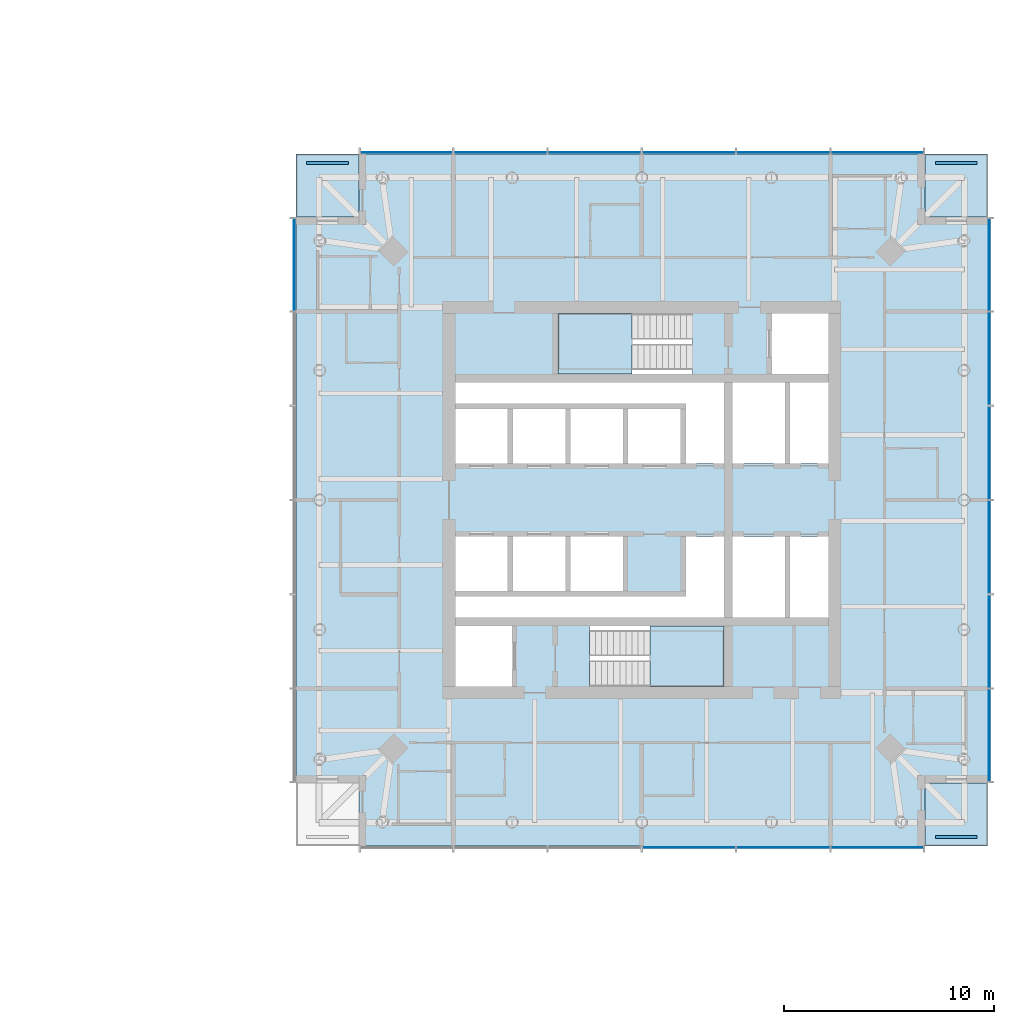
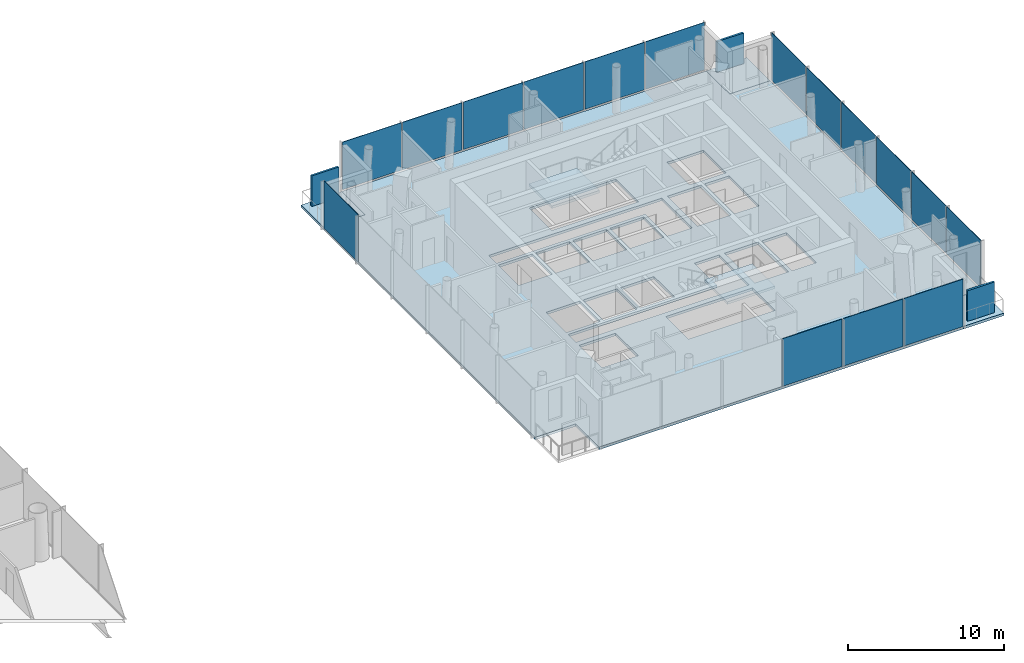
# One storey, part 7 of 18: 19 plates, 6 slabs, 6 elements without a shape of their own.
"""IFC4 building model written with IfcOpenShell, lengths in metres."""

from ifc_helpers import new_model, si_unit, direction, frame, origin, origin_2d, place, context, subcontext, project, spatial, polyline, rectangle, outline, extrude, material, layer, layer_set, type_object, element, aggregate, save


model = new_model("IFC4")

# Units and contexts
model_context = context("Model", 3, precision=1e-05, world=origin(), true_north=direction((0.0, 1.0)))
body_context = subcontext(model_context, "Body", "Model", "MODEL_VIEW")
ifc_project = project(units=[si_unit("LENGTHUNIT", "METRE"), si_unit("AREAUNIT", "SQUARE_METRE"), si_unit("VOLUMEUNIT", "CUBIC_METRE"), si_unit("PLANEANGLEUNIT", "RADIAN"), si_unit("MASSUNIT", "GRAM", prefix="KILO")], contexts=[model_context])

# Site, building, storey
site_placement = place(None, origin())
site = spatial("IfcSite", under=ifc_project, at=site_placement, CompositionType="ELEMENT")
building_placement = place(site_placement, origin())
building = spatial("IfcBuilding", under=site, at=building_placement, Name="Ostroluk Exchange", CompositionType="ELEMENT")
storey_placement = place(building_placement, frame((0.0, 0.0, 104.60009765625)))
storey = spatial("IfcBuildingStorey", under=building, at=storey_placement, Name="L26", CompositionType="ELEMENT", Elevation=104.60009765625)

# Curtain wall, plates
ifc_material_1 = material(Name="Laminated clear glass", Category="glass")
curtain_wall_type = type_object("IfcCurtainWallType", Name="Hotel guest floor facade", PredefinedType="USERDEFINED", material=ifc_material_1)
curtain_wall_1_placement = place(storey_placement, origin())
curtain_wall_1 = element("IfcCurtainWall", 1, at=curtain_wall_1_placement, inside=storey, type_object=curtain_wall_type, Name="Hotel tower south facade L26", ObjectType="UNITISED CURTAIN WALL", PredefinedType="USERDEFINED")
ifc_material_2 = material(Name="Laminated clear glass", Category="glass")
ifc_layer_1 = layer(ifc_material_2, 0.0400390625)
ifc_layer_set_1 = layer_set([ifc_layer_1], Name="Acoustic laminated glazing 40")
plate_type_1 = type_object("IfcPlateType", Name="Acoustic laminated glazing 40", PredefinedType="CURTAIN_PANEL", material=ifc_layer_set_1)
plate_1_placement = place(storey_placement, frame((119.25, 29.425048828125, 0.080078125), z_axis=(0.0, 0.0, 1.0), x_axis=(1.0, 0.0, 0.0)))
plate_1 = element("IfcPlate", 2, at=plate_1_placement, type_object=plate_type_1, Name="CW-H1 panel 4.1", PredefinedType="CURTAIN_PANEL", context=body_context, shape_type="SweptSolid", body=[
    extrude(rectangle(XDim=4.419921875, YDim=0.0400390625, at=origin_2d()), origin(), (0.0, 0.0, 1.0), 3.719970703125),
])
plate_2_placement = place(storey_placement, frame((123.75, 29.425048828125, 0.080078125), z_axis=(0.0, 0.0, 1.0), x_axis=(1.0, 0.0, 0.0)))
plate_2 = element("IfcPlate", 3, at=plate_2_placement, type_object=plate_type_1, Name="CW-H1 panel 5.1", PredefinedType="CURTAIN_PANEL", context=body_context, shape_type="SweptSolid", body=[
    extrude(rectangle(XDim=4.419921875, YDim=0.0400390625, at=origin_2d()), origin(), (0.0, 0.0, 1.0), 3.719970703125),
])
plate_3_placement = place(storey_placement, frame((128.22998046875, 29.425048828125, 0.080078125), z_axis=(0.0, 0.0, 1.0), x_axis=(1.0, 0.0, 0.0)))
plate_3 = element("IfcPlate", 4, at=plate_3_placement, type_object=plate_type_1, Name="CW-H1 panel 6.1", PredefinedType="CURTAIN_PANEL", context=body_context, shape_type="SweptSolid", body=[
    extrude(rectangle(XDim=4.3798828125, YDim=0.0400390625, at=origin_2d()), origin(), (0.0, 0.0, 1.0), 3.719970703125),
])
aggregate(curtain_wall_1, [plate_1, plate_2, plate_3])

curtain_wall_2_placement = place(storey_placement, origin())
curtain_wall_2 = element("IfcCurtainWall", 5, at=curtain_wall_2_placement, inside=storey, type_object=curtain_wall_type, Name="Hotel tower east facade L26", ObjectType="UNITISED CURTAIN WALL", PredefinedType="USERDEFINED")
plate_4_placement = place(storey_placement, frame((133.574951171875, 34.77001953125, 0.080078125), z_axis=(0.0, 0.0, 1.0), x_axis=(0.0, 1.0, 0.0)))
plate_4 = element("IfcPlate", 6, at=plate_4_placement, type_object=plate_type_1, Name="CW-H1 panel 1.1", PredefinedType="CURTAIN_PANEL", context=body_context, shape_type="SweptSolid", body=[
    extrude(rectangle(XDim=4.3798828125, YDim=0.0400390625, at=origin_2d()), origin(), (0.0, 0.0, 1.0), 3.719970703125),
])
plate_5_placement = place(storey_placement, frame((133.574951171875, 39.25, 0.080078125), z_axis=(0.0, 0.0, 1.0), x_axis=(0.0, 1.0, 0.0)))
plate_5 = element("IfcPlate", 7, at=plate_5_placement, type_object=plate_type_1, Name="CW-H1 panel 2.1", PredefinedType="CURTAIN_PANEL", context=body_context, shape_type="SweptSolid", body=[
    extrude(rectangle(XDim=4.419921875, YDim=0.0400390625, at=origin_2d()), origin(), (0.0, 0.0, 1.0), 3.719970703125),
])
plate_6_placement = place(storey_placement, frame((133.574951171875, 43.75, 0.080078125), z_axis=(0.0, 0.0, 1.0), x_axis=(0.0, 1.0, 0.0)))
plate_6 = element("IfcPlate", 8, at=plate_6_placement, type_object=plate_type_1, Name="CW-H1 panel 3.1", PredefinedType="CURTAIN_PANEL", context=body_context, shape_type="SweptSolid", body=[
    extrude(rectangle(XDim=4.419921875, YDim=0.0400390625, at=origin_2d()), origin(), (0.0, 0.0, 1.0), 3.719970703125),
])
plate_7_placement = place(storey_placement, frame((133.574951171875, 48.25, 0.080078125), z_axis=(0.0, 0.0, 1.0), x_axis=(0.0, 1.0, 0.0)))
plate_7 = element("IfcPlate", 9, at=plate_7_placement, type_object=plate_type_1, Name="CW-H1 panel 4.1", PredefinedType="CURTAIN_PANEL", context=body_context, shape_type="SweptSolid", body=[
    extrude(rectangle(XDim=4.419921875, YDim=0.0400390625, at=origin_2d()), origin(), (0.0, 0.0, 1.0), 3.719970703125),
])
plate_8_placement = place(storey_placement, frame((133.574951171875, 52.75, 0.080078125), z_axis=(0.0, 0.0, 1.0), x_axis=(0.0, 1.0, 0.0)))
plate_8 = element("IfcPlate", 10, at=plate_8_placement, type_object=plate_type_1, Name="CW-H1 panel 5.1", PredefinedType="CURTAIN_PANEL", context=body_context, shape_type="SweptSolid", body=[
    extrude(rectangle(XDim=4.419921875, YDim=0.0400390625, at=origin_2d()), origin(), (0.0, 0.0, 1.0), 3.719970703125),
])
plate_9_placement = place(storey_placement, frame((133.574951171875, 57.22998046875, 0.080078125), z_axis=(0.0, 0.0, 1.0), x_axis=(0.0, 1.0, 0.0)))
plate_9 = element("IfcPlate", 11, at=plate_9_placement, type_object=plate_type_1, Name="CW-H1 panel 6.1", PredefinedType="CURTAIN_PANEL", context=body_context, shape_type="SweptSolid", body=[
    extrude(rectangle(XDim=4.3798828125, YDim=0.0400390625, at=origin_2d()), origin(), (0.0, 0.0, 1.0), 3.719970703125),
])
aggregate(curtain_wall_2, [plate_4, plate_5, plate_6, plate_7, plate_8, plate_9])

curtain_wall_3_placement = place(storey_placement, origin())
curtain_wall_3 = element("IfcCurtainWall", 12, at=curtain_wall_3_placement, inside=storey, type_object=curtain_wall_type, Name="Hotel tower north facade L26", ObjectType="UNITISED CURTAIN WALL", PredefinedType="USERDEFINED")
plate_10_placement = place(storey_placement, frame((128.22998046875, 62.574951171875, 0.080078125), z_axis=(0.0, 0.0, 1.0), x_axis=(-1.0, 0.0, 0.0)))
plate_10 = element("IfcPlate", 13, at=plate_10_placement, type_object=plate_type_1, Name="CW-H1 panel 1.1", PredefinedType="CURTAIN_PANEL", context=body_context, shape_type="SweptSolid", body=[
    extrude(rectangle(XDim=4.3798828125, YDim=0.0400390625, at=origin_2d()), origin(), (0.0, 0.0, 1.0), 3.719970703125),
])
plate_11_placement = place(storey_placement, frame((123.75, 62.574951171875, 0.080078125), z_axis=(0.0, 0.0, 1.0), x_axis=(-1.0, 0.0, 0.0)))
plate_11 = element("IfcPlate", 14, at=plate_11_placement, type_object=plate_type_1, Name="CW-H1 panel 2.1", PredefinedType="CURTAIN_PANEL", context=body_context, shape_type="SweptSolid", body=[
    extrude(rectangle(XDim=4.419921875, YDim=0.0400390625, at=origin_2d()), origin(), (0.0, 0.0, 1.0), 3.719970703125),
])
plate_12_placement = place(storey_placement, frame((119.25, 62.574951171875, 0.080078125), z_axis=(0.0, 0.0, 1.0), x_axis=(-1.0, 0.0, 0.0)))
plate_12 = element("IfcPlate", 15, at=plate_12_placement, type_object=plate_type_1, Name="CW-H1 panel 3.1", PredefinedType="CURTAIN_PANEL", context=body_context, shape_type="SweptSolid", body=[
    extrude(rectangle(XDim=4.419921875, YDim=0.0400390625, at=origin_2d()), origin(), (0.0, 0.0, 1.0), 3.719970703125),
])
plate_13_placement = place(storey_placement, frame((114.75, 62.574951171875, 0.080078125), z_axis=(0.0, 0.0, 1.0), x_axis=(-1.0, 0.0, 0.0)))
plate_13 = element("IfcPlate", 16, at=plate_13_placement, type_object=plate_type_1, Name="CW-H1 panel 4.1", PredefinedType="CURTAIN_PANEL", context=body_context, shape_type="SweptSolid", body=[
    extrude(rectangle(XDim=4.419921875, YDim=0.0400390625, at=origin_2d()), origin(), (0.0, 0.0, 1.0), 3.719970703125),
])
plate_14_placement = place(storey_placement, frame((110.25, 62.574951171875, 0.080078125), z_axis=(0.0, 0.0, 1.0), x_axis=(-1.0, 0.0, 0.0)))
plate_14 = element("IfcPlate", 17, at=plate_14_placement, type_object=plate_type_1, Name="CW-H1 panel 5.1", PredefinedType="CURTAIN_PANEL", context=body_context, shape_type="SweptSolid", body=[
    extrude(rectangle(XDim=4.419921875, YDim=0.0400390625, at=origin_2d()), origin(), (0.0, 0.0, 1.0), 3.719970703125),
])
plate_15_placement = place(storey_placement, frame((105.77001953125, 62.574951171875, 0.080078125), z_axis=(0.0, 0.0, 1.0), x_axis=(-1.0, 0.0, 0.0)))
plate_15 = element("IfcPlate", 18, at=plate_15_placement, type_object=plate_type_1, Name="CW-H1 panel 6.1", PredefinedType="CURTAIN_PANEL", context=body_context, shape_type="SweptSolid", body=[
    extrude(rectangle(XDim=4.3798828125, YDim=0.0400390625, at=origin_2d()), origin(), (0.0, 0.0, 1.0), 3.719970703125),
])
aggregate(curtain_wall_3, [plate_10, plate_11, plate_12, plate_13, plate_14, plate_15])

# Curtain wall, plate
curtain_wall_4_placement = place(storey_placement, origin())
curtain_wall_4 = element("IfcCurtainWall", 19, at=curtain_wall_4_placement, inside=storey, type_object=curtain_wall_type, Name="Hotel tower west facade L26", ObjectType="UNITISED CURTAIN WALL", PredefinedType="USERDEFINED")
plate_16_placement = place(storey_placement, frame((100.425048828125, 57.22998046875, 0.080078125), z_axis=(0.0, 0.0, 1.0), x_axis=(0.0, -1.0, 0.0)))
plate_16 = element("IfcPlate", 20, at=plate_16_placement, type_object=plate_type_1, Name="CW-H1 panel 1.1", PredefinedType="CURTAIN_PANEL", context=body_context, shape_type="SweptSolid", body=[
    extrude(rectangle(XDim=4.3798828125, YDim=0.0400390625, at=origin_2d()), origin(), (0.0, 0.0, 1.0), 3.719970703125),
])
aggregate(curtain_wall_4, [plate_16])

# Slabs
ifc_material_3 = material(Name="Concrete C35/45", Category="concrete")
ifc_layer_2 = layer(ifc_material_3, 0.199951171875)
ifc_layer_set_2 = layer_set([ifc_layer_2], Name="Balcony slab 200")
slab_type_1 = type_object("IfcSlabType", Name="Balcony slab 200", PredefinedType="USERDEFINED", material=ifc_layer_set_2)
slab_1_placement = place(storey_placement, frame((0.0, 0.0, -0.2001953125)))
element("IfcSlab", 21, at=slab_1_placement, inside=storey, type_object=slab_type_1, Name="Hotel tower SE corner balcony L26", ObjectType="BALCONY", PredefinedType="USERDEFINED", context=body_context, shape_type="SweptSolid", body=[
    extrude(outline(polyline([(130.5, 29.5), (133.5, 29.5), (133.5, 32.5), (130.5, 32.5), (130.5, 29.5)])), origin(), (0.0, 0.0, 1.0), 0.2001953125),
])
slab_2_placement = place(storey_placement, frame((0.0, 0.0, -0.2001953125)))
element("IfcSlab", 22, at=slab_2_placement, inside=storey, type_object=slab_type_1, Name="Hotel tower NE corner balcony L26", ObjectType="BALCONY", PredefinedType="USERDEFINED", context=body_context, shape_type="SweptSolid", body=[
    extrude(outline(polyline([(130.5, 59.5), (133.5, 59.5), (133.5, 62.5), (130.5, 62.5), (130.5, 59.5)])), origin(), (0.0, 0.0, 1.0), 0.2001953125),
])
slab_3_placement = place(storey_placement, frame((0.0, 0.0, -0.2001953125)))
element("IfcSlab", 23, at=slab_3_placement, inside=storey, type_object=slab_type_1, Name="Hotel tower NW corner balcony L26", ObjectType="BALCONY", PredefinedType="USERDEFINED", context=body_context, shape_type="SweptSolid", body=[
    extrude(outline(polyline([(100.5, 59.5), (103.5, 59.5), (103.5, 62.5), (100.5, 62.5), (100.5, 59.5)])), origin(), (0.0, 0.0, 1.0), 0.2001953125),
])

# Plates
ifc_material_4 = material(Name="Steel S355 trellis with planting", Category="steel")
ifc_layer_3 = layer(ifc_material_4, 0.14990234375)
ifc_layer_set_3 = layer_set([ifc_layer_3], Name="Planted screen 150")
plate_type_2 = type_object("IfcPlateType", Name="Planted screen 150", PredefinedType="USERDEFINED", material=ifc_layer_set_3)
for number, where, z_axis, x_axis, name in (
    (24, (132.0, 29.925048828125, 0.0), (0.0, 0.0, 1.0), (1.0, 0.0, 0.0), "Hotel tower SE planted screen L26"),
    (25, (132.0, 62.074951171875, 0.0), (0.0, 0.0, 1.0), (1.0, 0.0, 0.0), "Hotel tower NE planted screen L26"),
    (26, (102.0, 62.074951171875, 0.0), (0.0, 0.0, 1.0), (1.0, 0.0, 0.0), "Hotel tower NW planted screen L26"),
):
    element("IfcPlate", number, at=place(storey_placement, frame(where, z_axis=z_axis, x_axis=x_axis)), inside=storey, type_object=plate_type_2, Name=name, ObjectType="PLANTED SCREEN", PredefinedType="USERDEFINED", context=body_context, shape_type="SweptSolid", body=[
        extrude(rectangle(XDim=2.0, YDim=0.14990234375, at=origin_2d()), origin(), (0.0, 0.0, 1.0), 2.39990234375),
    ])

# Stair, slab
ifc_material_5 = material(Name="Concrete C30/37", Category="concrete")
stair_type = type_object("IfcStairType", Name="Exit stair half turn 3800", PredefinedType="HALF_TURN_STAIR", material=ifc_material_5)
stair_1_placement = place(storey_placement, origin())
stair_1 = element("IfcStair", 27, at=stair_1_placement, inside=storey, type_object=stair_type, Name="Stair T2-S1 L26", PredefinedType="HALF_TURN_STAIR")
ifc_material_6 = material(Name="Concrete C30/37", Category="concrete")
ifc_layer_4 = layer(ifc_material_6, 0.199951171875)
ifc_layer_set_4 = layer_set([ifc_layer_4], Name="Stair landing 200")
slab_type_2 = type_object("IfcSlabType", Name="Stair landing 200", PredefinedType="LANDING", material=ifc_layer_set_4)
slab_4_placement = place(storey_placement, frame((0.0, 0.0, 1.699951171875)))
slab_4 = element("IfcSlab", 28, at=slab_4_placement, type_object=slab_type_2, Name="T2-S1 landing 1", PredefinedType="LANDING", context=body_context, shape_type="SweptSolid", body=[
    extrude(outline(polyline([(117.39990234375, 37.10009765625), (117.39990234375, 40.0), (120.929931640625, 40.0), (120.929931640625, 37.10009765625), (117.39990234375, 37.10009765625)])), origin(), (0.0, 0.0, 1.0), 0.199951171875),
])
aggregate(stair_1, [slab_4])

stair_2_placement = place(storey_placement, origin())
stair_2 = element("IfcStair", 29, at=stair_2_placement, inside=storey, type_object=stair_type, Name="Stair T2-S2 L26", PredefinedType="HALF_TURN_STAIR")
slab_5_placement = place(storey_placement, frame((0.0, 0.0, 1.699951171875)))
slab_5 = element("IfcSlab", 30, at=slab_5_placement, type_object=slab_type_2, Name="T2-S2 landing 1", PredefinedType="LANDING", context=body_context, shape_type="SweptSolid", body=[
    extrude(outline(polyline([(116.530029296875, 52.0), (116.530029296875, 54.89990234375), (113.0, 54.89990234375), (113.0, 52.0), (116.530029296875, 52.0)])), origin(), (0.0, 0.0, 1.0), 0.199951171875),
])
aggregate(stair_2, [slab_5])

# Slab
ifc_material_7 = material(Name="Concrete C35/45", Category="concrete")
ifc_layer_5 = layer(ifc_material_7, 0.199951171875)
ifc_layer_set_5 = layer_set([ifc_layer_5], Name="Tower floor slab 200 composite")
slab_type_3 = type_object("IfcSlabType", Name="Tower floor slab 200 composite", PredefinedType="FLOOR", material=ifc_layer_set_5)
slab_6_placement = place(storey_placement, frame((0.0, 0.0, -0.2001953125)))
element("IfcSlab", 31, at=slab_6_placement, inside=storey, type_object=slab_type_3, Name="Hotel tower floor slab L26", PredefinedType="FLOOR", context=body_context, shape_type="SweptSolid", body=[
    extrude(outline(polyline([(103.5, 29.5), (130.5, 29.5), (130.5, 32.5), (133.5, 32.5), (133.5, 59.5), (130.5, 59.5), (130.5, 62.5), (103.5, 62.5), (103.5, 59.5), (100.5, 59.5), (100.5, 32.5), (103.5, 32.5), (103.5, 29.5)]), holes=[polyline([(108.10009765625, 37.10009765625), (110.800048828125, 37.10009765625), (110.800048828125, 40.0), (108.10009765625, 40.0), (108.10009765625, 37.10009765625)]), polyline([(114.510009765625, 37.10009765625), (120.929931640625, 37.10009765625), (120.929931640625, 40.0), (114.510009765625, 40.0), (114.510009765625, 37.10009765625)]), polyline([(113.0, 52.0), (119.419921875, 52.0), (119.419921875, 54.89990234375), (113.0, 54.89990234375), (113.0, 52.0)]), polyline([(123.199951171875, 52.0), (125.89990234375, 52.0), (125.89990234375, 54.89990234375), (123.199951171875, 54.89990234375), (123.199951171875, 52.0)]), polyline([(108.10009765625, 47.75), (110.60009765625, 47.75), (110.60009765625, 50.35009765625), (108.10009765625, 50.35009765625), (108.10009765625, 47.75)]), polyline([(110.85009765625, 47.75), (113.35009765625, 47.75), (113.35009765625, 50.35009765625), (110.85009765625, 50.35009765625), (110.85009765625, 47.75)]), polyline([(113.60009765625, 47.75), (116.10009765625, 47.75), (116.10009765625, 50.35009765625), (113.60009765625, 50.35009765625), (113.60009765625, 47.75)]), polyline([(116.35009765625, 47.75), (118.85009765625, 47.75), (118.85009765625, 50.35009765625), (116.35009765625, 50.35009765625), (116.35009765625, 47.75)]), polyline([(108.10009765625, 41.64990234375), (110.60009765625, 41.64990234375), (110.60009765625, 44.25), (108.10009765625, 44.25), (108.10009765625, 41.64990234375)]), polyline([(110.85009765625, 41.64990234375), (113.35009765625, 41.64990234375), (113.35009765625, 44.25), (110.85009765625, 44.25), (110.85009765625, 41.64990234375)]), polyline([(113.60009765625, 41.64990234375), (116.10009765625, 41.64990234375), (116.10009765625, 44.25), (113.60009765625, 44.25), (113.60009765625, 41.64990234375)]), polyline([(121.330078125, 47.75), (123.830078125, 47.75), (123.830078125, 51.60009765625), (121.330078125, 51.60009765625), (121.330078125, 47.75)]), polyline([(121.330078125, 40.39990234375), (123.830078125, 40.39990234375), (123.830078125, 44.25), (121.330078125, 44.25), (121.330078125, 40.39990234375)]), polyline([(120.929931640625, 51.60009765625), (120.929931640625, 47.75), (119.10009765625, 47.75), (119.10009765625, 50.60009765625), (108.10009765625, 50.60009765625), (108.10009765625, 51.60009765625), (120.929931640625, 51.60009765625)]), polyline([(108.10009765625, 40.39990234375), (108.10009765625, 41.39990234375), (119.10009765625, 41.39990234375), (119.10009765625, 44.25), (120.929931640625, 44.25), (120.929931640625, 40.39990234375), (108.10009765625, 40.39990234375)]), polyline([(124.080078125, 47.75), (125.89990234375, 47.75), (125.89990234375, 51.60009765625), (124.080078125, 51.60009765625), (124.080078125, 47.75)]), polyline([(124.080078125, 40.39990234375), (125.89990234375, 40.39990234375), (125.89990234375, 44.25), (124.080078125, 44.25), (124.080078125, 40.39990234375)])]), origin(), (0.0, 0.0, 1.0), 0.2001953125),
])

save(model, "model.ifc")
